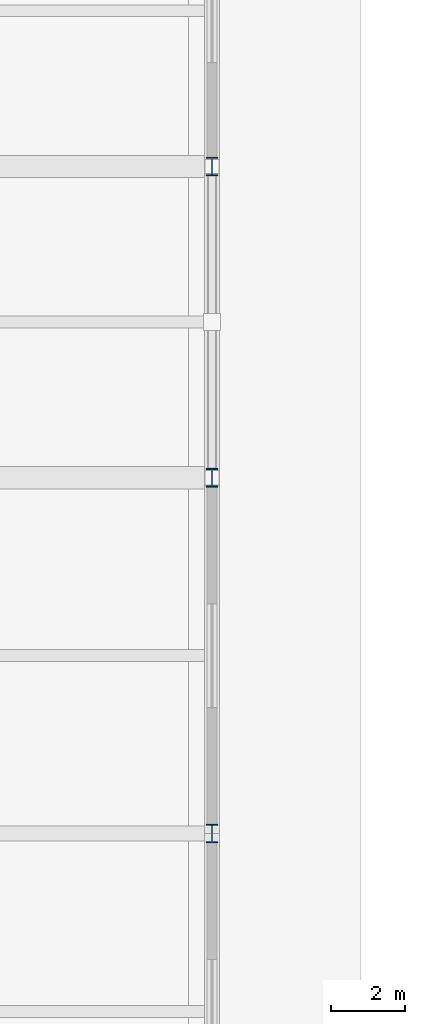
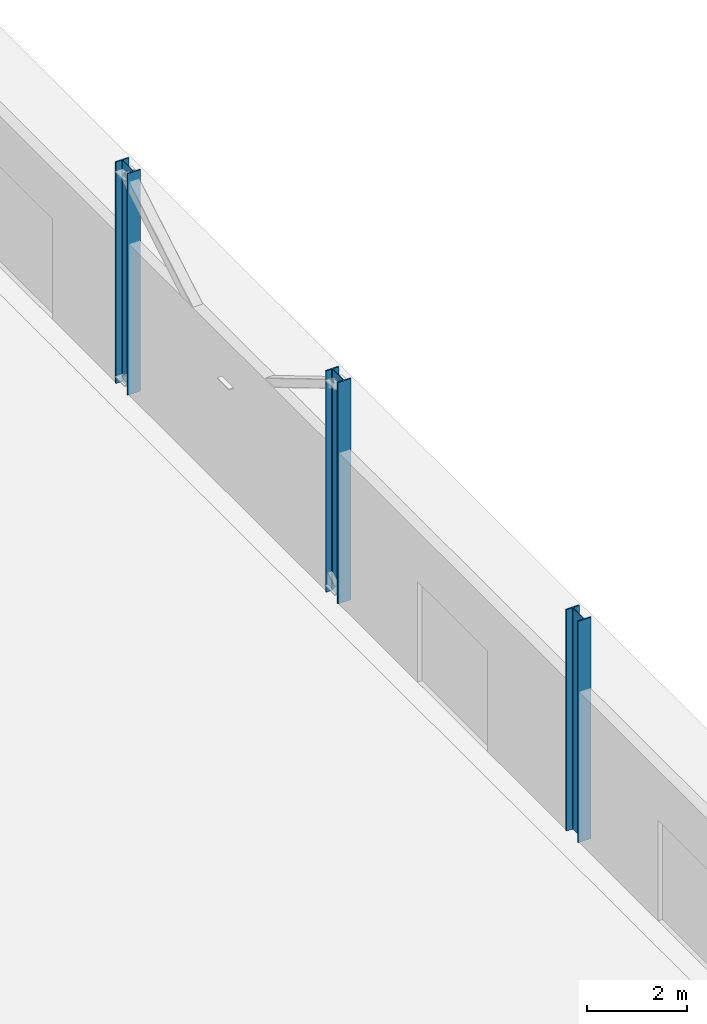
# One storey, part 19 of 124: 3 columns.
"""IFC4 building model written with IfcOpenShell, lengths in metres."""

from ifc_helpers import new_model, si_unit, direction, frame, origin, origin_2d, place, context, subcontext, project, spatial, i_section, extrude, material, material_profile, profile_set, type_object, element, save


model = new_model("IFC4")

# Units and contexts
model_context = context("Model", 3, precision=1e-05, world=origin(), true_north=direction((0.0, 1.0)))
body_context = subcontext(model_context, "Body", "Model", "MODEL_VIEW")
ifc_project = project(units=[si_unit("LENGTHUNIT", "METRE"), si_unit("AREAUNIT", "SQUARE_METRE"), si_unit("VOLUMEUNIT", "CUBIC_METRE"), si_unit("PLANEANGLEUNIT", "RADIAN"), si_unit("MASSUNIT", "GRAM", prefix="KILO")], contexts=[model_context])

# Site, building, storey
site_placement = place(None, origin())
site = spatial("IfcSite", under=ifc_project, at=site_placement, CompositionType="ELEMENT")
building_placement = place(site_placement, origin())
building = spatial("IfcBuilding", under=site, at=building_placement, Name="Brelvane Convention Centre", CompositionType="ELEMENT")
storey_placement = place(building_placement, origin())
storey = spatial("IfcBuildingStorey", under=building, at=storey_placement, Name="L00", CompositionType="ELEMENT", Elevation=0.0)

# Columns
ifc_material = material(Name="Steel E350 (350 MPa)", Category="steel")
ifc_material_profile = material_profile(ifc_material, i_section(OverallWidth=0.300048828125, OverallDepth=0.5, WebThickness=0.014404296875, FlangeThickness=0.028076171875, FilletRadius=0.027099609375, at=origin_2d()), Name="WPB 500x300")
ifc_profile_set = profile_set([ifc_material_profile], Name="Steel E350 (350 MPa)")
column_type = type_object("IfcColumnType", Name="Steel Column C-ST6 (WPB 500x300)", PredefinedType="COLUMN", material=ifc_profile_set)
for number, where, z_axis, x_axis, name in (
    (1, (224.39990234375, 109.199951171875, 0.0), (0.0, 0.0, 1.0), (1.0, 0.0, 0.0), "Column 23-L (L00)"),
    (2, (224.39990234375, 118.800048828125, 0.0), (0.0, 0.0, 1.0), (1.0, 0.0, 0.0), "Column 23-M (L00)"),
    (3, (224.39990234375, 127.199951171875, 0.0), (0.0, 0.0, 1.0), (1.0, 0.0, 0.0), "Column 23-N (L00)"),
):
    element("IfcColumn", number, at=place(storey_placement, frame(where, z_axis=z_axis, x_axis=x_axis)), inside=storey, type_object=column_type, Name=name, PredefinedType="COLUMN", context=body_context, shape_type="SweptSolid", body=[
        extrude(i_section(OverallWidth=0.300048828125, OverallDepth=0.5, WebThickness=0.014404296875, FlangeThickness=0.028076171875, FilletRadius=0.027099609375, at=origin_2d()), origin(), (0.0, 0.0, 1.0), 5.39990234375),
    ])

save(model, "model.ifc")
